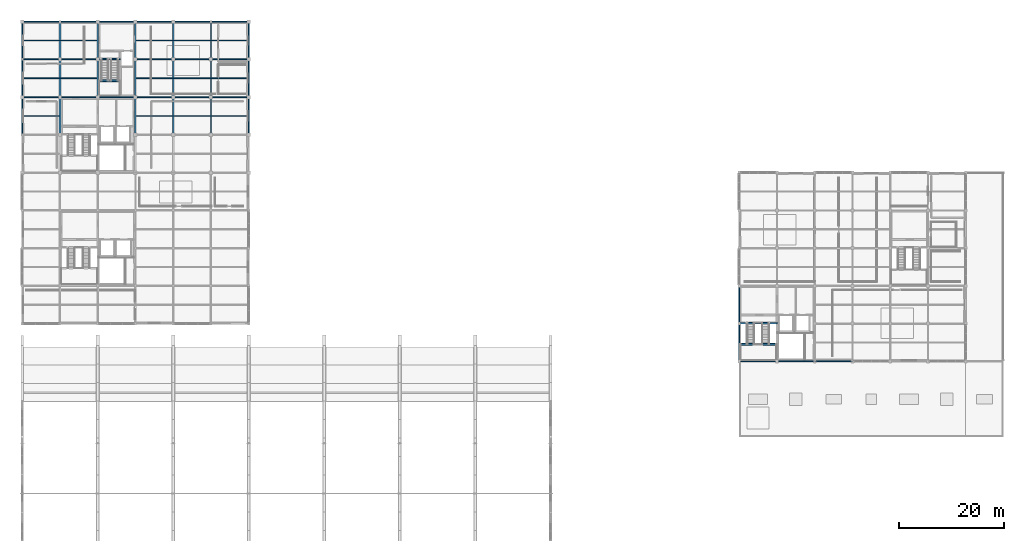
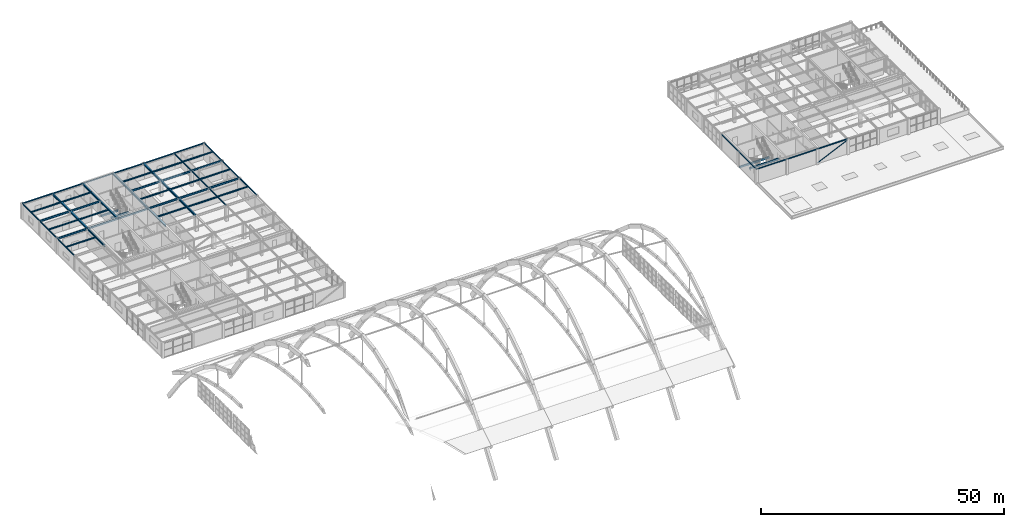
# One storey, part 34 of 64: 60 beams, 1 member.
"""IFC4 building model written with IfcOpenShell, lengths in metres."""

from ifc_helpers import new_model, si_unit, direction, frame, origin, origin_2d, place, context, subcontext, project, spatial, rectangle, hollow_circle, i_section, extrude, material, material_profile, profile_set, type_object, element, save


model = new_model("IFC4")

# Units and contexts
model_context = context("Model", 3, precision=1e-05, world=origin(), true_north=direction((0.0, 1.0)))
body_context = subcontext(model_context, "Body", "Model", "MODEL_VIEW")
ifc_project = project(units=[si_unit("LENGTHUNIT", "METRE"), si_unit("AREAUNIT", "SQUARE_METRE"), si_unit("VOLUMEUNIT", "CUBIC_METRE"), si_unit("PLANEANGLEUNIT", "RADIAN"), si_unit("MASSUNIT", "GRAM", prefix="KILO")], contexts=[model_context])

# Site, building, storey
site_placement = place(None, origin())
site = spatial("IfcSite", under=ifc_project, at=site_placement, CompositionType="ELEMENT")
building_placement = place(site_placement, origin())
building = spatial("IfcBuilding", under=site, at=building_placement, Name="Leyfeld Transit Interchange", CompositionType="ELEMENT")
storey_placement = place(building_placement, frame((0.0, 0.0, 9.60009765625)))
storey = spatial("IfcBuildingStorey", under=building, at=storey_placement, Name="L02", CompositionType="ELEMENT", Elevation=9.60009765625)

# Beams
ifc_material_1 = material(Name="Concrete C35/45", Category="concrete")
ifc_material_profile_1 = material_profile(ifc_material_1, rectangle(XDim=0.300048828125, YDim=0.39990234375, at=origin_2d()), Name="RC 400x300")
ifc_profile_set_1 = profile_set([ifc_material_profile_1], Name="Concrete C35/45")
beam_type_1 = type_object("IfcBeamType", Name="BM-RC-400x300", PredefinedType="LINTEL", material=ifc_profile_set_1)
for number, where, z_axis, x_axis, name in (
    (1, (14.60009765625, 115.300048828125, -0.2001953125), (1.0, 0.0, 0.0), (0.0, 1.0, 0.0), "Core K2 Floor Landing Corbel L02"),
    (2, (14.60009765625, 111.139892578125, 1.89990234375), (1.0, 0.0, 0.0), (0.0, 1.0, 0.0), "Stair ST-02 L02 Half-Landing Corbel"),
):
    element("IfcBeam", number, at=place(storey_placement, frame(where, z_axis=z_axis, x_axis=x_axis)), inside=storey, type_object=beam_type_1, Name=name, PredefinedType="LINTEL", context=body_context, shape_type="SweptSolid", body=[
        extrude(rectangle(XDim=0.300048828125, YDim=0.39990234375, at=origin_2d()), origin(), (0.0, 0.0, 1.0), 4.099853515625),
    ])
for number, where, z_axis, x_axis, name in (
    (3, (136.949951171875, 64.89990234375, -0.2001953125), (1.0, 0.0, 0.0), (0.0, 1.0, 0.0), "Core K4 Floor Landing Corbel L02"),
    (4, (136.949951171875, 60.8701171875, 1.89990234375), (1.0, 0.0, 0.0), (0.0, 1.0, 0.0), "Stair ST-04 L02 Half-Landing Corbel"),
):
    element("IfcBeam", number, at=place(storey_placement, frame(where, z_axis=z_axis, x_axis=x_axis)), inside=storey, type_object=beam_type_1, Name=name, PredefinedType="LINTEL", context=body_context, shape_type="SweptSolid", body=[
        extrude(rectangle(XDim=0.300048828125, YDim=0.39990234375, at=origin_2d()), origin(), (0.0, 0.0, 1.0), 7.050048828125),
    ])
ifc_material_2 = material(Name="Steel S355J2", Category="steel")
ifc_material_profile_2 = material_profile(ifc_material_2, i_section(OverallWidth=0.300048828125, OverallDepth=0.449951171875, WebThickness=0.013916015625, FlangeThickness=0.02587890625, FilletRadius=0.027099609375, at=origin_2d()), Name="HEB 450")
ifc_profile_set_2 = profile_set([ifc_material_profile_2], Name="Steel S355J2")
beam_type_2 = type_object("IfcBeamType", Name="BM-STL-HEB450", PredefinedType="JOIST", material=ifc_profile_set_2)
for number, where, z_axis, x_axis, name in (
    (5, (7.199951171875, 100.800048828125, 3.65478515625), (0.0, 1.0, 0.0), (-1.0, 0.0, 0.0), "Beam BM-L02-0072_1008-0072_1080"),
    (6, (7.199951171875, 108.0, 3.65478515625), (0.0, 1.0, 0.0), (-1.0, 0.0, 0.0), "Beam BM-L02-0072_1080-0072_1152"),
    (7, (7.199951171875, 115.199951171875, 3.65478515625), (0.0, 1.0, 0.0), (-1.0, 0.0, 0.0), "Beam BM-L02-0072_1152-0072_1224"),
    (8, (14.39990234375, 108.0, 3.65478515625), (0.0, 1.0, 0.0), (-1.0, 0.0, 0.0), "Beam BM-L02-0144_1080-0144_1152"),
    (9, (14.39990234375, 115.199951171875, 3.65478515625), (0.0, 1.0, 0.0), (-1.0, 0.0, 0.0), "Beam BM-L02-0144_1152-0144_1224"),
    (10, (21.60009765625, 100.800048828125, 3.65478515625), (0.0, 1.0, 0.0), (-1.0, 0.0, 0.0), "Beam BM-L02-0216_1008-0216_1080"),
    (11, (21.60009765625, 108.0, 3.65478515625), (0.0, 1.0, 0.0), (-1.0, 0.0, 0.0), "Beam BM-L02-0216_1080-0216_1152"),
    (12, (21.60009765625, 115.199951171875, 3.65478515625), (0.0, 1.0, 0.0), (-1.0, 0.0, 0.0), "Beam BM-L02-0216_1152-0216_1224"),
    (13, (28.800048828125, 100.800048828125, 3.65478515625), (0.0, 1.0, 0.0), (-1.0, 0.0, 0.0), "Beam BM-L02-0288_1008-0288_1080"),
    (14, (28.800048828125, 108.0, 3.65478515625), (0.0, 1.0, 0.0), (-1.0, 0.0, 0.0), "Beam BM-L02-0288_1080-0288_1152"),
    (15, (28.800048828125, 115.199951171875, 3.65478515625), (0.0, 1.0, 0.0), (-1.0, 0.0, 0.0), "Beam BM-L02-0288_1152-0288_1224"),
):
    element("IfcBeam", number, at=place(storey_placement, frame(where, z_axis=z_axis, x_axis=x_axis)), inside=storey, type_object=beam_type_2, Name=name, PredefinedType="JOIST", context=body_context, shape_type="SweptSolid", body=[
        extrude(i_section(OverallWidth=0.300048828125, OverallDepth=0.449951171875, WebThickness=0.013916015625, FlangeThickness=0.02587890625, FilletRadius=0.027099609375, at=origin_2d()), origin(), (0.0, 0.0, 1.0), 7.199951171875),
    ])
ifc_material_profile_3 = material_profile(ifc_material_2, i_section(OverallWidth=0.135009765625, OverallDepth=0.27001953125, WebThickness=0.006591796875, FlangeThickness=0.01025390625, FilletRadius=0.014892578125, at=origin_2d()), Name="IPE 270")
ifc_profile_set_3 = profile_set([ifc_material_profile_3], Name="Steel S355J2")
beam_type_3 = type_object("IfcBeamType", Name="BM-STL-IPE270", PredefinedType="BEAM", material=ifc_profile_set_3)
beam_1_placement = place(storey_placement, frame((0.072021484375, 104.39990234375, 3.744873046875), z_axis=(1.0, 0.0, 0.0), x_axis=(0.0, 1.0, 0.0)))
element("IfcBeam", 16, at=beam_1_placement, inside=storey, type_object=beam_type_3, Name="Beam BM-L02-0001_1044-0071_1044", PredefinedType="BEAM", context=body_context, shape_type="SweptSolid", body=[
    extrude(i_section(OverallWidth=0.135009765625, OverallDepth=0.27001953125, WebThickness=0.006591796875, FlangeThickness=0.01025390625, FilletRadius=0.014892578125, at=origin_2d()), origin(), (0.0, 0.0, 1.0), 6.98095703125),
])
beam_2_placement = place(storey_placement, frame((21.7470703125, 104.39990234375, 3.744873046875), z_axis=(1.0, 0.0, 0.0), x_axis=(0.0, 1.0, 0.0)))
element("IfcBeam", 17, at=beam_2_placement, inside=storey, type_object=beam_type_3, Name="Beam BM-L02-0217_1044-0287_1044", PredefinedType="BEAM", context=body_context, shape_type="SweptSolid", body=[
    extrude(i_section(OverallWidth=0.135009765625, OverallDepth=0.27001953125, WebThickness=0.006591796875, FlangeThickness=0.01025390625, FilletRadius=0.014892578125, at=origin_2d()), origin(), (0.0, 0.0, 1.0), 6.906005859375),
])
for number, where, z_axis, x_axis, name in (
    (18, (28.947021484375, 104.39990234375, 3.744873046875), (1.0, 0.0, 0.0), (0.0, 1.0, 0.0), "Beam BM-L02-0289_1044-0359_1044"),
    (19, (0.072021484375, 111.60009765625, 3.744873046875), (1.0, 0.0, 0.0), (0.0, 1.0, 0.0), "Beam BM-L02-0001_1116-0071_1116"),
):
    element("IfcBeam", number, at=place(storey_placement, frame(where, z_axis=z_axis, x_axis=x_axis)), inside=storey, type_object=beam_type_3, Name=name, PredefinedType="BEAM", context=body_context, shape_type="SweptSolid", body=[
        extrude(i_section(OverallWidth=0.135009765625, OverallDepth=0.27001953125, WebThickness=0.006591796875, FlangeThickness=0.01025390625, FilletRadius=0.014892578125, at=origin_2d()), origin(), (0.0, 0.0, 1.0), 6.98095703125),
    ])
for number, where, z_axis, x_axis, name in (
    (20, (7.346923828125, 111.60009765625, 3.744873046875), (1.0, 0.0, 0.0), (0.0, 1.0, 0.0), "Beam BM-L02-0073_1116-0143_1116"),
    (21, (21.7470703125, 111.60009765625, 3.744873046875), (1.0, 0.0, 0.0), (0.0, 1.0, 0.0), "Beam BM-L02-0217_1116-0287_1116"),
):
    element("IfcBeam", number, at=place(storey_placement, frame(where, z_axis=z_axis, x_axis=x_axis)), inside=storey, type_object=beam_type_3, Name=name, PredefinedType="BEAM", context=body_context, shape_type="SweptSolid", body=[
        extrude(i_section(OverallWidth=0.135009765625, OverallDepth=0.27001953125, WebThickness=0.006591796875, FlangeThickness=0.01025390625, FilletRadius=0.014892578125, at=origin_2d()), origin(), (0.0, 0.0, 1.0), 6.906005859375),
    ])
for number, where, z_axis, x_axis, name in (
    (22, (28.947021484375, 111.60009765625, 3.744873046875), (1.0, 0.0, 0.0), (0.0, 1.0, 0.0), "Beam BM-L02-0289_1116-0359_1116"),
    (23, (0.072021484375, 118.800048828125, 3.744873046875), (1.0, 0.0, 0.0), (0.0, 1.0, 0.0), "Beam BM-L02-0001_1188-0071_1188"),
):
    element("IfcBeam", number, at=place(storey_placement, frame(where, z_axis=z_axis, x_axis=x_axis)), inside=storey, type_object=beam_type_3, Name=name, PredefinedType="BEAM", context=body_context, shape_type="SweptSolid", body=[
        extrude(i_section(OverallWidth=0.135009765625, OverallDepth=0.27001953125, WebThickness=0.006591796875, FlangeThickness=0.01025390625, FilletRadius=0.014892578125, at=origin_2d()), origin(), (0.0, 0.0, 1.0), 6.98095703125),
    ])
for number, where, z_axis, x_axis, name in (
    (24, (7.346923828125, 118.800048828125, 3.744873046875), (1.0, 0.0, 0.0), (0.0, 1.0, 0.0), "Beam BM-L02-0073_1188-0143_1188"),
    (25, (21.7470703125, 118.800048828125, 3.744873046875), (1.0, 0.0, 0.0), (0.0, 1.0, 0.0), "Beam BM-L02-0217_1188-0287_1188"),
):
    element("IfcBeam", number, at=place(storey_placement, frame(where, z_axis=z_axis, x_axis=x_axis)), inside=storey, type_object=beam_type_3, Name=name, PredefinedType="BEAM", context=body_context, shape_type="SweptSolid", body=[
        extrude(i_section(OverallWidth=0.135009765625, OverallDepth=0.27001953125, WebThickness=0.006591796875, FlangeThickness=0.01025390625, FilletRadius=0.014892578125, at=origin_2d()), origin(), (0.0, 0.0, 1.0), 6.906005859375),
    ])
beam_3_placement = place(storey_placement, frame((28.947021484375, 118.800048828125, 3.744873046875), z_axis=(1.0, 0.0, 0.0), x_axis=(0.0, 1.0, 0.0)))
element("IfcBeam", 26, at=beam_3_placement, inside=storey, type_object=beam_type_3, Name="Beam BM-L02-0289_1188-0359_1188", PredefinedType="BEAM", context=body_context, shape_type="SweptSolid", body=[
    extrude(i_section(OverallWidth=0.135009765625, OverallDepth=0.27001953125, WebThickness=0.006591796875, FlangeThickness=0.01025390625, FilletRadius=0.014892578125, at=origin_2d()), origin(), (0.0, 0.0, 1.0), 6.98095703125),
])
for number, where, z_axis, x_axis, name in (
    (27, (36.072021484375, 104.39990234375, 3.804931640625), (1.0, 0.0, 0.0), (0.0, 1.0, 0.0), "Beam BM-L02-0361_1044-0431_1044"),
    (28, (36.072021484375, 111.60009765625, 3.804931640625), (1.0, 0.0, 0.0), (0.0, 1.0, 0.0), "Beam BM-L02-0361_1116-0431_1116"),
    (29, (36.072021484375, 118.800048828125, 3.804931640625), (1.0, 0.0, 0.0), (0.0, 1.0, 0.0), "Beam BM-L02-0361_1188-0431_1188"),
):
    element("IfcBeam", number, at=place(storey_placement, frame(where, z_axis=z_axis, x_axis=x_axis)), inside=storey, type_object=beam_type_3, Name=name, PredefinedType="BEAM", context=body_context, shape_type="SweptSolid", body=[
        extrude(i_section(OverallWidth=0.135009765625, OverallDepth=0.27001953125, WebThickness=0.006591796875, FlangeThickness=0.01025390625, FilletRadius=0.014892578125, at=origin_2d()), origin(), (0.0, 0.0, 1.0), 7.055908203125),
    ])
ifc_material_profile_4 = material_profile(ifc_material_2, i_section(OverallWidth=0.14990234375, OverallDepth=0.300048828125, WebThickness=0.007080078125, FlangeThickness=0.0107421875, FilletRadius=0.014892578125, at=origin_2d()), Name="IPE 300")
ifc_profile_set_4 = profile_set([ifc_material_profile_4], Name="Steel S355J2")
beam_type_4 = type_object("IfcBeamType", Name="BM-STL-IPE300", PredefinedType="SPANDREL", material=ifc_profile_set_4)
for number, where, z_axis, x_axis, name in (
    (30, (136.800048828125, 57.60009765625, 3.77001953125), (0.0, 1.0, 0.0), (-1.0, 0.0, 0.0), "Beam BM-L02-1368_0576-1368_0648"),
    (31, (136.800048828125, 64.800048828125, 3.77001953125), (0.0, 1.0, 0.0), (-1.0, 0.0, 0.0), "Beam BM-L02-1368_0648-1368_0720"),
    (32, (136.800048828125, 57.60009765625, 3.77001953125), (1.0, 0.0, 0.0), (0.0, 1.0, 0.0), "Beam BM-L02-1368_0576-1440_0576"),
    (33, (144.0, 57.60009765625, 3.77001953125), (1.0, 0.0, 0.0), (0.0, 1.0, 0.0), "Beam BM-L02-1440_0576-1512_0576"),
    (34, (151.199951171875, 57.60009765625, 3.77001953125), (1.0, 0.0, 0.0), (0.0, 1.0, 0.0), "Beam BM-L02-1512_0576-1584_0576"),
    (35, (0.0, 100.800048828125, 3.72998046875), (0.0, 1.0, 0.0), (-1.0, 0.0, 0.0), "Beam BM-L02-0000_1008-0000_1080"),
    (36, (0.0, 108.0, 3.72998046875), (0.0, 1.0, 0.0), (-1.0, 0.0, 0.0), "Beam BM-L02-0000_1080-0000_1152"),
    (37, (0.0, 115.199951171875, 3.72998046875), (0.0, 1.0, 0.0), (-1.0, 0.0, 0.0), "Beam BM-L02-0000_1152-0000_1224"),
    (38, (36.0, 100.800048828125, 3.72998046875), (0.0, 1.0, 0.0), (-1.0, 0.0, 0.0), "Beam BM-L02-0360_1008-0360_1080"),
    (39, (36.0, 108.0, 3.72998046875), (0.0, 1.0, 0.0), (-1.0, 0.0, 0.0), "Beam BM-L02-0360_1080-0360_1152"),
    (40, (36.0, 115.199951171875, 3.72998046875), (0.0, 1.0, 0.0), (-1.0, 0.0, 0.0), "Beam BM-L02-0360_1152-0360_1224"),
    (41, (0.0, 122.39990234375, 3.72998046875), (1.0, 0.0, 0.0), (0.0, 1.0, 0.0), "Beam BM-L02-0000_1224-0072_1224"),
    (42, (7.199951171875, 122.39990234375, 3.72998046875), (1.0, 0.0, 0.0), (0.0, 1.0, 0.0), "Beam BM-L02-0072_1224-0144_1224"),
):
    element("IfcBeam", number, at=place(storey_placement, frame(where, z_axis=z_axis, x_axis=x_axis)), inside=storey, type_object=beam_type_4, Name=name, PredefinedType="SPANDREL", context=body_context, shape_type="SweptSolid", body=[
        extrude(i_section(OverallWidth=0.14990234375, OverallDepth=0.300048828125, WebThickness=0.007080078125, FlangeThickness=0.0107421875, FilletRadius=0.014892578125, at=origin_2d()), origin(), (0.0, 0.0, 1.0), 7.199951171875),
    ])
beam_4_placement = place(storey_placement, frame((14.39990234375, 122.39990234375, 3.72998046875), z_axis=(1.0, 0.0, 0.0), x_axis=(0.0, 1.0, 0.0)))
element("IfcBeam", 43, at=beam_4_placement, inside=storey, type_object=beam_type_4, Name="Beam BM-L02-0144_1224-0216_1224", PredefinedType="SPANDREL", context=body_context, shape_type="SweptSolid", body=[
    extrude(i_section(OverallWidth=0.14990234375, OverallDepth=0.300048828125, WebThickness=0.007080078125, FlangeThickness=0.0107421875, FilletRadius=0.014892578125, at=origin_2d()), origin(), (0.0, 0.0, 1.0), 7.2001953125),
])
for number, where, z_axis, x_axis, name in (
    (44, (21.60009765625, 122.39990234375, 3.72998046875), (1.0, 0.0, 0.0), (0.0, 1.0, 0.0), "Beam BM-L02-0216_1224-0288_1224"),
    (45, (28.800048828125, 122.39990234375, 3.72998046875), (1.0, 0.0, 0.0), (0.0, 1.0, 0.0), "Beam BM-L02-0288_1224-0360_1224"),
    (46, (43.199951171875, 100.800048828125, 3.789794921875), (0.0, 1.0, 0.0), (-1.0, 0.0, 0.0), "Beam BM-L02-0432_1008-0432_1080"),
    (47, (43.199951171875, 108.0, 3.789794921875), (0.0, 1.0, 0.0), (-1.0, 0.0, 0.0), "Beam BM-L02-0432_1080-0432_1152"),
    (48, (43.199951171875, 115.199951171875, 3.789794921875), (0.0, 1.0, 0.0), (-1.0, 0.0, 0.0), "Beam BM-L02-0432_1152-0432_1224"),
    (49, (36.0, 122.39990234375, 3.789794921875), (1.0, 0.0, 0.0), (0.0, 1.0, 0.0), "Beam BM-L02-0360_1224-0432_1224"),
):
    element("IfcBeam", number, at=place(storey_placement, frame(where, z_axis=z_axis, x_axis=x_axis)), inside=storey, type_object=beam_type_4, Name=name, PredefinedType="SPANDREL", context=body_context, shape_type="SweptSolid", body=[
        extrude(i_section(OverallWidth=0.14990234375, OverallDepth=0.300048828125, WebThickness=0.007080078125, FlangeThickness=0.0107421875, FilletRadius=0.014892578125, at=origin_2d()), origin(), (0.0, 0.0, 1.0), 7.199951171875),
    ])
ifc_material_profile_5 = material_profile(ifc_material_2, i_section(OverallWidth=0.18994140625, OverallDepth=0.449951171875, WebThickness=0.009521484375, FlangeThickness=0.0146484375, FilletRadius=0.02099609375, at=origin_2d()), Name="IPE 450")
ifc_profile_set_5 = profile_set([ifc_material_profile_5], Name="Steel S355J2")
beam_type_5 = type_object("IfcBeamType", Name="BM-STL-IPE450", PredefinedType="BEAM", material=ifc_profile_set_5)
for number, where, z_axis, x_axis, name in (
    (50, (0.0, 108.0, 3.65478515625), (1.0, 0.0, 0.0), (0.0, 1.0, 0.0), "Beam BM-L02-0000_1080-0072_1080"),
    (51, (7.199951171875, 108.0, 3.65478515625), (1.0, 0.0, 0.0), (0.0, 1.0, 0.0), "Beam BM-L02-0072_1080-0144_1080"),
):
    element("IfcBeam", number, at=place(storey_placement, frame(where, z_axis=z_axis, x_axis=x_axis)), inside=storey, type_object=beam_type_5, Name=name, PredefinedType="BEAM", context=body_context, shape_type="SweptSolid", body=[
        extrude(i_section(OverallWidth=0.18994140625, OverallDepth=0.449951171875, WebThickness=0.009521484375, FlangeThickness=0.0146484375, FilletRadius=0.02099609375, at=origin_2d()), origin(), (0.0, 0.0, 1.0), 7.199951171875),
    ])
beam_5_placement = place(storey_placement, frame((14.39990234375, 108.0, 3.65478515625), z_axis=(1.0, 0.0, 0.0), x_axis=(0.0, 1.0, 0.0)))
element("IfcBeam", 52, at=beam_5_placement, inside=storey, type_object=beam_type_5, Name="Beam BM-L02-0144_1080-0216_1080", PredefinedType="BEAM", context=body_context, shape_type="SweptSolid", body=[
    extrude(i_section(OverallWidth=0.18994140625, OverallDepth=0.449951171875, WebThickness=0.009521484375, FlangeThickness=0.0146484375, FilletRadius=0.02099609375, at=origin_2d()), origin(), (0.0, 0.0, 1.0), 7.2001953125),
])
for number, where, z_axis, x_axis, name in (
    (53, (21.60009765625, 108.0, 3.65478515625), (1.0, 0.0, 0.0), (0.0, 1.0, 0.0), "Beam BM-L02-0216_1080-0288_1080"),
    (54, (28.800048828125, 108.0, 3.65478515625), (1.0, 0.0, 0.0), (0.0, 1.0, 0.0), "Beam BM-L02-0288_1080-0360_1080"),
    (55, (0.0, 115.199951171875, 3.65478515625), (1.0, 0.0, 0.0), (0.0, 1.0, 0.0), "Beam BM-L02-0000_1152-0072_1152"),
    (56, (7.199951171875, 115.199951171875, 3.65478515625), (1.0, 0.0, 0.0), (0.0, 1.0, 0.0), "Beam BM-L02-0072_1152-0144_1152"),
    (57, (21.60009765625, 115.199951171875, 3.65478515625), (1.0, 0.0, 0.0), (0.0, 1.0, 0.0), "Beam BM-L02-0216_1152-0288_1152"),
    (58, (28.800048828125, 115.199951171875, 3.65478515625), (1.0, 0.0, 0.0), (0.0, 1.0, 0.0), "Beam BM-L02-0288_1152-0360_1152"),
    (59, (36.0, 108.0, 3.71484375), (1.0, 0.0, 0.0), (0.0, 1.0, 0.0), "Beam BM-L02-0360_1080-0432_1080"),
    (60, (36.0, 115.199951171875, 3.71484375), (1.0, 0.0, 0.0), (0.0, 1.0, 0.0), "Beam BM-L02-0360_1152-0432_1152"),
):
    element("IfcBeam", number, at=place(storey_placement, frame(where, z_axis=z_axis, x_axis=x_axis)), inside=storey, type_object=beam_type_5, Name=name, PredefinedType="BEAM", context=body_context, shape_type="SweptSolid", body=[
        extrude(i_section(OverallWidth=0.18994140625, OverallDepth=0.449951171875, WebThickness=0.009521484375, FlangeThickness=0.0146484375, FilletRadius=0.02099609375, at=origin_2d()), origin(), (0.0, 0.0, 1.0), 7.199951171875),
    ])

# Member
ifc_material_profile_6 = material_profile(ifc_material_2, hollow_circle(Radius=0.109619140625, WallThickness=0.012451171875, at=origin_2d()), Name="CHS 219.1x12.5")
ifc_profile_set_6 = profile_set([ifc_material_profile_6], Name="Steel S355J2")
member_type = type_object("IfcMemberType", Name="MEM-BRC-CHS219", PredefinedType="BRACE", material=ifc_profile_set_6)
member_placement = place(storey_placement, frame((151.199951171875, 57.60009765625, 0.25), z_axis=(0.909073092956, 0.0, 0.41663666625), x_axis=(0.0, 1.0, 0.0)))
element("IfcMember", 61, at=member_placement, inside=storey, type_object=member_type, Name="Lateral Diagonal Brace 009", PredefinedType="BRACE", context=body_context, shape_type="SweptSolid", body=[
    extrude(hollow_circle(Radius=0.109619140625, WallThickness=0.012451171875, at=origin_2d()), origin(), (0.0, 0.0, 1.0), 7.920166015625),
])

save(model, "model.ifc")
